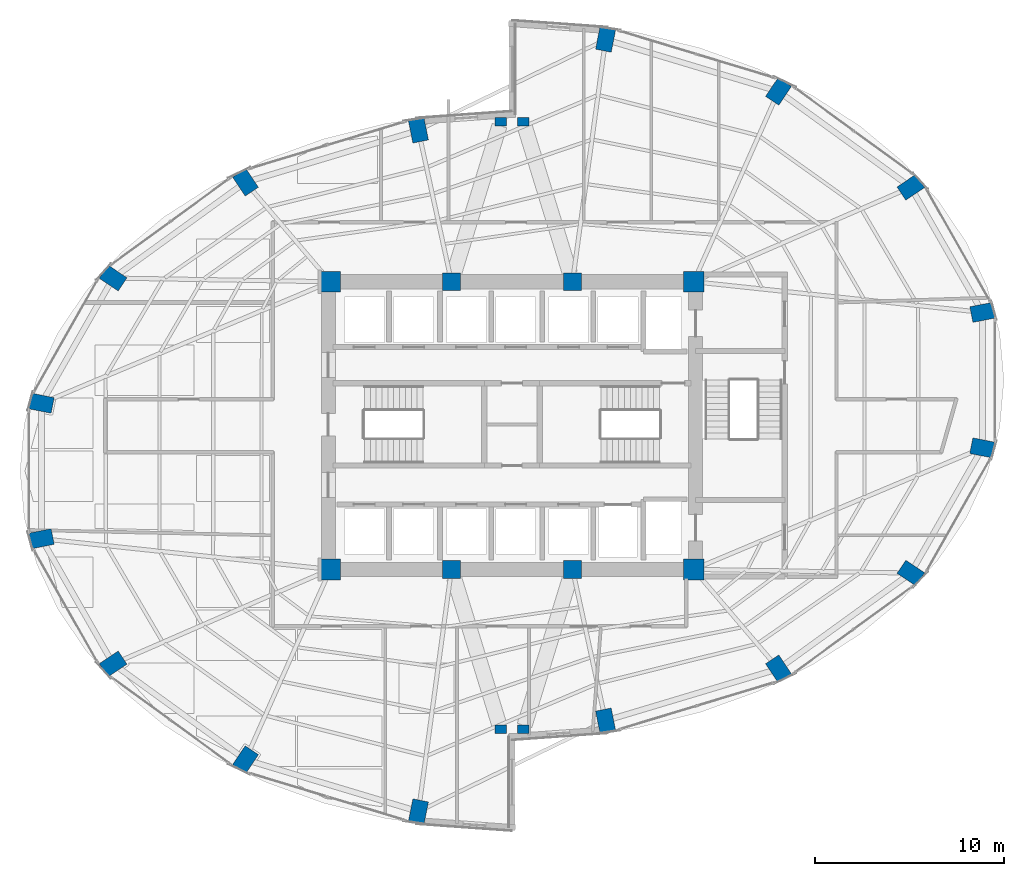
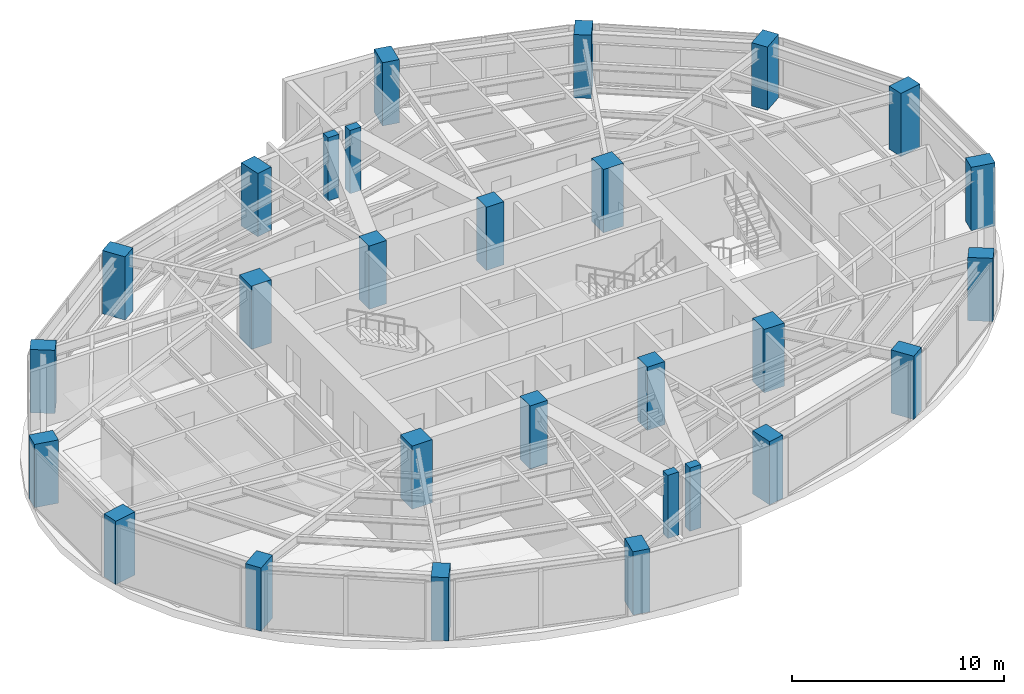
# One storey, part 1 of 23: 28 columns.
"""IFC4 building model written with IfcOpenShell, lengths in metres."""

from ifc_helpers import new_model, si_unit, direction, frame, origin, origin_2d, place, context, subcontext, project, spatial, rectangle, extrude, material, material_profile, profile_set, type_object, element, save


model = new_model("IFC4")

# Units and contexts
model_context = context("Model", 3, precision=1e-05, world=origin(), true_north=direction((0.0, 1.0)))
body_context = subcontext(model_context, "Body", "Model", "MODEL_VIEW")
ifc_project = project(units=[si_unit("LENGTHUNIT", "METRE"), si_unit("AREAUNIT", "SQUARE_METRE"), si_unit("VOLUMEUNIT", "CUBIC_METRE"), si_unit("PLANEANGLEUNIT", "RADIAN"), si_unit("MASSUNIT", "GRAM", prefix="KILO")], contexts=[model_context])

# Site, building, storey
site_placement = place(None, origin())
site = spatial("IfcSite", under=ifc_project, at=site_placement, CompositionType="ELEMENT")
building_placement = place(site_placement, origin())
building = spatial("IfcBuilding", under=site, at=building_placement, Name="Lazwardi Medical Tower", CompositionType="ELEMENT")
storey_placement = place(building_placement, frame((0.0, 0.0, 81.743896484375)))
storey = spatial("IfcBuildingStorey", under=building, at=storey_placement, Name="L20", CompositionType="ELEMENT", Elevation=81.743896484375)

# Columns
ifc_material_1 = material(Name="Concrete C80/95", Category="concrete")
ifc_material_profile_1 = material_profile(ifc_material_1, rectangle(XDim=1.10009765625, YDim=1.10009765625, at=origin_2d()), Name="RC 1100x1100")
ifc_profile_set_1 = profile_set([ifc_material_profile_1], Name="Concrete C80/95")
column_type_1 = type_object("IfcColumnType", Name="COL-CC-L", PredefinedType="COLUMN", material=ifc_profile_set_1)
for number, where, z_axis, x_axis, name in (
    (1, (26.39990234375, 20.39990234375, 0.0), (0.0, 0.0, 1.0), (1.0, 0.0, 0.0), "Core column CC-01 CC1 L20"),
    (2, (45.60009765625, 20.39990234375, 0.0), (0.0, 0.0, 1.0), (1.0, 0.0, 0.0), "Core column CC-01 CC4 L20"),
    (3, (45.60009765625, 35.60009765625, 0.0), (0.0, 0.0, 1.0), (1.0, 0.0, 0.0), "Core column CC-01 CC5 L20"),
    (4, (26.39990234375, 35.60009765625, 0.0), (0.0, 0.0, 1.0), (1.0, 0.0, 0.0), "Core column CC-01 CC8 L20"),
):
    element("IfcColumn", number, at=place(storey_placement, frame(where, z_axis=z_axis, x_axis=x_axis)), inside=storey, type_object=column_type_1, Name=name, PredefinedType="COLUMN", context=body_context, shape_type="SweptSolid", body=[
        extrude(rectangle(XDim=1.10009765625, YDim=1.10009765625, at=origin_2d()), origin(), (0.0, 0.0, 1.0), 3.648193359375),
    ])
ifc_material_2 = material(Name="Concrete C70/85", Category="concrete")
ifc_material_profile_2 = material_profile(ifc_material_2, rectangle(XDim=0.949951171875, YDim=0.949951171875, at=origin_2d()), Name="RC 950x950")
ifc_profile_set_2 = profile_set([ifc_material_profile_2], Name="Concrete C70/85")
column_type_2 = type_object("IfcColumnType", Name="COL-CC-M", PredefinedType="COLUMN", material=ifc_profile_set_2)
for number, where, z_axis, x_axis, name in (
    (5, (32.800048828125, 20.39990234375, 0.0), (0.0, 0.0, 1.0), (1.0, 0.0, 0.0), "Core column CC-02 CC2 L20"),
    (6, (39.199951171875, 20.39990234375, 0.0), (0.0, 0.0, 1.0), (1.0, 0.0, 0.0), "Core column CC-02 CC3 L20"),
    (7, (39.199951171875, 35.60009765625, 0.0), (0.0, 0.0, 1.0), (1.0, 0.0, 0.0), "Core column CC-02 CC6 L20"),
    (8, (32.800048828125, 35.60009765625, 0.0), (0.0, 0.0, 1.0), (1.0, 0.0, 0.0), "Core column CC-02 CC7 L20"),
):
    element("IfcColumn", number, at=place(storey_placement, frame(where, z_axis=z_axis, x_axis=x_axis)), inside=storey, type_object=column_type_2, Name=name, PredefinedType="COLUMN", context=body_context, shape_type="SweptSolid", body=[
        extrude(rectangle(XDim=0.949951171875, YDim=0.949951171875, at=origin_2d()), origin(), (0.0, 0.0, 1.0), 3.648193359375),
    ])
ifc_material_profile_3 = material_profile(ifc_material_2, rectangle(XDim=1.199951171875, YDim=0.840087890625, at=origin_2d()), Name="CFT-RECT 1200x840")
ifc_profile_set_3 = profile_set([ifc_material_profile_3], Name="Concrete C70/85")
column_type_3 = type_object("IfcColumnType", Name="COL-MC-Z2", PredefinedType="COLUMN", material=ifc_profile_set_3)
for number, where, z_axis, x_axis, name in (
    (9, (40.945556640625, 12.402587890625, 0.0), (0.0, 0.0, 1.0), (0.195090322016, -0.980785280403, 0.0), "Mega column MC-04 M01 L20"),
    (10, (50.083740234375, 15.142578125, 0.0), (0.0, 0.0, 1.0), (0.55557023302, -0.831469612303, 0.0), "Mega column MC-04 M02 L20"),
    (11, (57.077880859375, 20.205322265625, 0.0), (0.0, 0.0, 1.0), (0.831469612303, -0.55557023302, 0.0), "Mega column MC-04 M03 L20"),
    (12, (60.86279296875, 26.820068359375, 0.0), (0.0, 0.0, 1.0), (0.980785280403, -0.195090322016, 0.0), "Mega column MC-04 M04 L20"),
    (13, (60.86279296875, 33.97998046875, 0.0), (0.0, 0.0, 1.0), (0.980785280403, 0.195090322016, 0.0), "Mega column MC-04 M05 L20"),
    (14, (57.077880859375, 40.5947265625, 0.0), (0.0, 0.0, 1.0), (0.831469612303, 0.55557023302, 0.0), "Mega column MC-04 M06 L20"),
    (15, (50.083740234375, 45.657470703125, 0.0), (0.0, 0.0, 1.0), (0.55557023302, 0.831469612303, 0.0), "Mega column MC-04 M07 L20"),
    (16, (40.945556640625, 48.3974609375, 0.0), (0.0, 0.0, 1.0), (0.195090322016, 0.980785280403, 0.0), "Mega column MC-04 M08 L20"),
    (17, (31.054443359375, 43.597412109375, 0.0), (0.0, 0.0, 1.0), (-0.195090322016, 0.980785280403, 0.0), "Mega column MC-04 M09 L20"),
    (18, (21.916259765625, 40.857421875, 0.0), (0.0, 0.0, 1.0), (-0.55557023302, 0.831469612303, 0.0), "Mega column MC-04 M10 L20"),
    (19, (14.922119140625, 35.794677734375, 0.0), (0.0, 0.0, 1.0), (-0.831469612303, 0.55557023302, 0.0), "Mega column MC-04 M11 L20"),
    (20, (11.13720703125, 29.179931640625, 0.0), (0.0, 0.0, 1.0), (-0.980785280403, 0.195090322016, 0.0), "Mega column MC-04 M12 L20"),
    (21, (11.13720703125, 22.02001953125, 0.0), (0.0, 0.0, 1.0), (-0.980785280403, -0.195090322016, 0.0), "Mega column MC-04 M13 L20"),
    (22, (14.922119140625, 15.4052734375, 0.0), (0.0, 0.0, 1.0), (-0.831469612303, -0.55557023302, 0.0), "Mega column MC-04 M14 L20"),
    (23, (21.916259765625, 10.342529296875, 0.0), (0.0, 0.0, 1.0), (-0.55557023302, -0.831469612303, 0.0), "Mega column MC-04 M15 L20"),
    (24, (31.054443359375, 7.6025390625, 0.0), (0.0, 0.0, 1.0), (-0.195090322016, -0.980785280403, 0.0), "Mega column MC-04 M16 L20"),
):
    element("IfcColumn", number, at=place(storey_placement, frame(where, z_axis=z_axis, x_axis=x_axis)), inside=storey, type_object=column_type_3, Name=name, PredefinedType="COLUMN", context=body_context, shape_type="SweptSolid", body=[
        extrude(rectangle(XDim=1.199951171875, YDim=0.840087890625, at=origin_2d()), origin(), (0.0, 0.0, 1.0), 3.648193359375),
    ])
ifc_material_3 = material(Name="Concrete C60/75", Category="concrete")
ifc_material_profile_4 = material_profile(ifc_material_3, rectangle(XDim=0.60009765625, YDim=0.449951171875, at=origin_2d()), Name="RC 600x450")
ifc_profile_set_4 = profile_set([ifc_material_profile_4], Name="Concrete C60/75")
column_type_4 = type_object("IfcColumnType", Name="COL-PL-IW", PredefinedType="PILASTER", material=ifc_profile_set_4)
for number, where, z_axis, x_axis, name in (
    (25, (35.39990234375, 44.050048828125, 0.0), (0.0, 0.0, 1.0), (1.0, 0.0, 0.0), "Iwan pilaster column PL-C1 PL1 L20"),
    (26, (36.60009765625, 44.050048828125, 0.0), (0.0, 0.0, 1.0), (1.0, 0.0, 0.0), "Iwan pilaster column PL-C1 PL2 L20"),
    (27, (35.39990234375, 11.949951171875, 0.0), (0.0, 0.0, 1.0), (1.0, 0.0, 0.0), "Iwan pilaster column PL-C1 PL3 L20"),
    (28, (36.60009765625, 11.949951171875, 0.0), (0.0, 0.0, 1.0), (1.0, 0.0, 0.0), "Iwan pilaster column PL-C1 PL4 L20"),
):
    element("IfcColumn", number, at=place(storey_placement, frame(where, z_axis=z_axis, x_axis=x_axis)), inside=storey, type_object=column_type_4, Name=name, PredefinedType="PILASTER", context=body_context, shape_type="SweptSolid", body=[
        extrude(rectangle(XDim=0.60009765625, YDim=0.449951171875, at=origin_2d()), origin(), (0.0, 0.0, 1.0), 3.648193359375),
    ])

save(model, "model.ifc")
